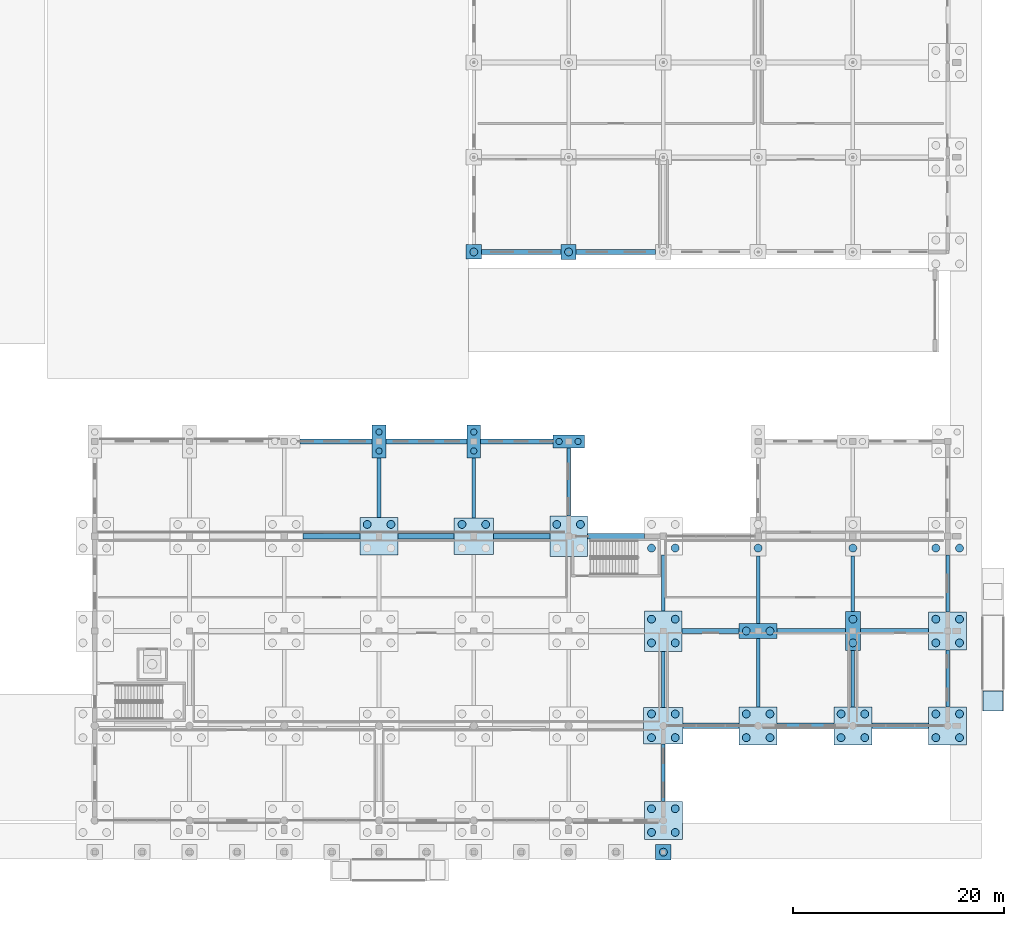
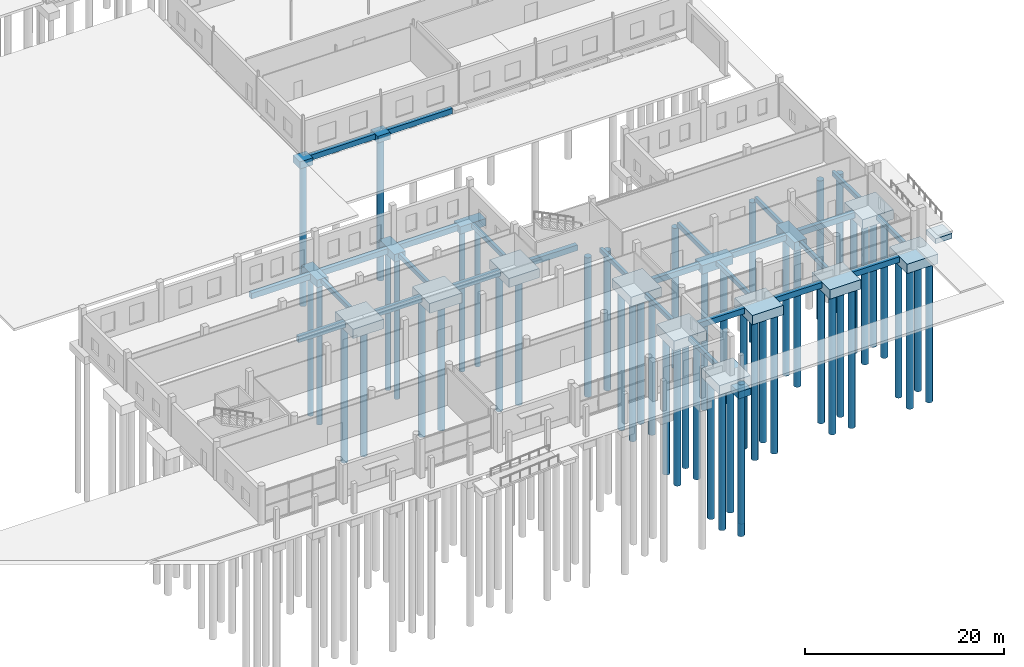
# One storey, part 12 of 112: 53 piles, 46 footings.
"""IFC4 building model written with IfcOpenShell, lengths in metres."""

from ifc_helpers import new_model, si_unit, direction, frame, origin, origin_2d, place, context, subcontext, project, spatial, polyline, rectangle, circle, outline, extrude, material, material_profile, profile_set, type_object, element, save


model = new_model("IFC4")

# Units and contexts
model_context = context("Model", 3, precision=1e-05, world=origin(), true_north=direction((0.0, 1.0)))
body_context = subcontext(model_context, "Body", "Model", "MODEL_VIEW")
ifc_project = project(units=[si_unit("LENGTHUNIT", "METRE"), si_unit("AREAUNIT", "SQUARE_METRE"), si_unit("VOLUMEUNIT", "CUBIC_METRE"), si_unit("PLANEANGLEUNIT", "RADIAN"), si_unit("MASSUNIT", "GRAM", prefix="KILO")], contexts=[model_context])

# Site, building, storey
site_placement = place(None, origin())
site = spatial("IfcSite", under=ifc_project, at=site_placement, CompositionType="ELEMENT")
building_placement = place(site_placement, origin())
building = spatial("IfcBuilding", under=site, at=building_placement, Name="Tharagai Park Tramway Depot", CompositionType="ELEMENT")
storey_placement = place(building_placement, origin())
storey = spatial("IfcBuildingStorey", under=building, at=storey_placement, Name="L00", CompositionType="ELEMENT", Elevation=0.0)

# Piles
ifc_material = material(Name="Concrete M40", Category="concrete")
ifc_material_profile_1 = material_profile(ifc_material, circle(Radius=0.375, at=origin_2d()), Name="PILE D750")
ifc_profile_set_1 = profile_set([ifc_material_profile_1], Name="Concrete M40")
pile_type_1 = type_object("IfcPileType", Name="BP-02", PredefinedType="BORED", material=ifc_profile_set_1)
for number, where, z_axis, x_axis, name in (
    (1, (160.875, 28.125, -1.35009765625), (0.0, 0.0, -1.0), (1.0, 0.0, 0.0), "Bored Pile BP-02 (162,27) #3"),
    (2, (163.125, 28.125, -1.35009765625), (0.0, 0.0, -1.0), (1.0, 0.0, 0.0), "Bored Pile BP-02 (162,27) #4"),
):
    element("IfcPile", number, at=place(storey_placement, frame(where, z_axis=z_axis, x_axis=x_axis)), inside=storey, type_object=pile_type_1, Name=name, PredefinedType="BORED", context=body_context, shape_type="SweptSolid", body=[
        extrude(circle(Radius=0.375, at=origin_2d()), origin(), (0.0, 0.0, 1.0), 17.14990234375),
    ])
for number, where, z_axis, x_axis, name in (
    (3, (169.875, 28.125, -1.39990234375), (0.0, 0.0, -1.0), (1.0, 0.0, 0.0), "Bored Pile BP-02 (171,27) #3"),
    (4, (172.125, 28.125, -1.39990234375), (0.0, 0.0, -1.0), (1.0, 0.0, 0.0), "Bored Pile BP-02 (171,27) #4"),
):
    element("IfcPile", number, at=place(storey_placement, frame(where, z_axis=z_axis, x_axis=x_axis)), inside=storey, type_object=pile_type_1, Name=name, PredefinedType="BORED", context=body_context, shape_type="SweptSolid", body=[
        extrude(circle(Radius=0.375, at=origin_2d()), origin(), (0.0, 0.0, 1.0), 17.10009765625),
    ])
pile_1_placement = place(storey_placement, frame((171.0, 54.0, -1.080078125), z_axis=(0.0, 0.0, -1.0), x_axis=(1.0, 0.0, 0.0)))
element("IfcPile", 5, at=pile_1_placement, inside=storey, type_object=pile_type_1, Name="Bored Pile BP-02 (171,54) #1", PredefinedType="BORED", context=body_context, shape_type="SweptSolid", body=[
    extrude(circle(Radius=0.375, at=origin_2d()), origin(), (0.0, 0.0, 1.0), 17.419921875),
])
for number, where, z_axis, x_axis, name in (
    (6, (178.875, 28.125, -1.320068359375), (0.0, 0.0, -1.0), (1.0, 0.0, 0.0), "Bored Pile BP-02 (180,27) #3"),
    (7, (181.125, 28.125, -1.320068359375), (0.0, 0.0, -1.0), (1.0, 0.0, 0.0), "Bored Pile BP-02 (180,27) #4"),
):
    element("IfcPile", number, at=place(storey_placement, frame(where, z_axis=z_axis, x_axis=x_axis)), inside=storey, type_object=pile_type_1, Name=name, PredefinedType="BORED", context=body_context, shape_type="SweptSolid", body=[
        extrude(circle(Radius=0.375, at=origin_2d()), origin(), (0.0, 0.0, 1.0), 17.179931640625),
    ])
pile_2_placement = place(storey_placement, frame((180.0, 54.0, -1.050048828125), z_axis=(0.0, 0.0, -1.0), x_axis=(1.0, 0.0, 0.0)))
element("IfcPile", 8, at=pile_2_placement, inside=storey, type_object=pile_type_1, Name="Bored Pile BP-02 (180,54) #1", PredefinedType="BORED", context=body_context, shape_type="SweptSolid", body=[
    extrude(circle(Radius=0.375, at=origin_2d()), origin(), (0.0, 0.0, 1.0), 17.449951171875),
])
for number, where, z_axis, x_axis, name in (
    (9, (187.875, -1.125, -1.35009765625), (0.0, 0.0, -1.0), (1.0, 0.0, 0.0), "Bored Pile BP-02 (189,0) #1"),
    (10, (190.125, -1.125, -1.35009765625), (0.0, 0.0, -1.0), (1.0, 0.0, 0.0), "Bored Pile BP-02 (189,0) #2"),
    (11, (187.875, 1.125, -1.35009765625), (0.0, 0.0, -1.0), (1.0, 0.0, 0.0), "Bored Pile BP-02 (189,0) #3"),
    (12, (190.125, 1.125, -1.35009765625), (0.0, 0.0, -1.0), (1.0, 0.0, 0.0), "Bored Pile BP-02 (189,0) #4"),
):
    element("IfcPile", number, at=place(storey_placement, frame(where, z_axis=z_axis, x_axis=x_axis)), inside=storey, type_object=pile_type_1, Name=name, PredefinedType="BORED", context=body_context, shape_type="SweptSolid", body=[
        extrude(circle(Radius=0.375, at=origin_2d()), origin(), (0.0, 0.0, 1.0), 17.14990234375),
    ])
for number, where, z_axis, x_axis, name in (
    (13, (187.875, 7.875, -1.39990234375), (0.0, 0.0, -1.0), (1.0, 0.0, 0.0), "Bored Pile BP-02 (189,9) #1"),
    (14, (190.125, 7.875, -1.39990234375), (0.0, 0.0, -1.0), (1.0, 0.0, 0.0), "Bored Pile BP-02 (189,9) #2"),
    (15, (187.875, 10.125, -1.39990234375), (0.0, 0.0, -1.0), (1.0, 0.0, 0.0), "Bored Pile BP-02 (189,9) #3"),
    (16, (190.125, 10.125, -1.39990234375), (0.0, 0.0, -1.0), (1.0, 0.0, 0.0), "Bored Pile BP-02 (189,9) #4"),
):
    element("IfcPile", number, at=place(storey_placement, frame(where, z_axis=z_axis, x_axis=x_axis)), inside=storey, type_object=pile_type_1, Name=name, PredefinedType="BORED", context=body_context, shape_type="SweptSolid", body=[
        extrude(circle(Radius=0.375, at=origin_2d()), origin(), (0.0, 0.0, 1.0), 17.10009765625),
    ])
for number, where, z_axis, x_axis, name in (
    (17, (187.875, 16.875, -1.320068359375), (0.0, 0.0, -1.0), (1.0, 0.0, 0.0), "Bored Pile BP-02 (189,18) #1"),
    (18, (190.125, 16.875, -1.320068359375), (0.0, 0.0, -1.0), (1.0, 0.0, 0.0), "Bored Pile BP-02 (189,18) #2"),
    (19, (187.875, 19.125, -1.320068359375), (0.0, 0.0, -1.0), (1.0, 0.0, 0.0), "Bored Pile BP-02 (189,18) #3"),
    (20, (190.125, 19.125, -1.320068359375), (0.0, 0.0, -1.0), (1.0, 0.0, 0.0), "Bored Pile BP-02 (189,18) #4"),
):
    element("IfcPile", number, at=place(storey_placement, frame(where, z_axis=z_axis, x_axis=x_axis)), inside=storey, type_object=pile_type_1, Name=name, PredefinedType="BORED", context=body_context, shape_type="SweptSolid", body=[
        extrude(circle(Radius=0.375, at=origin_2d()), origin(), (0.0, 0.0, 1.0), 17.179931640625),
    ])
for number, where, z_axis, x_axis, name in (
    (21, (187.875, 25.875, -1.35009765625), (0.0, 0.0, -1.0), (1.0, 0.0, 0.0), "Bored Pile BP-02 (189,27) #1"),
    (22, (190.125, 25.875, -1.35009765625), (0.0, 0.0, -1.0), (1.0, 0.0, 0.0), "Bored Pile BP-02 (189,27) #2"),
    (23, (196.875, 7.875, -1.35009765625), (0.0, 0.0, -1.0), (1.0, 0.0, 0.0), "Bored Pile BP-02 (198,9) #1"),
    (24, (199.125, 7.875, -1.35009765625), (0.0, 0.0, -1.0), (1.0, 0.0, 0.0), "Bored Pile BP-02 (198,9) #2"),
    (25, (196.875, 10.125, -1.35009765625), (0.0, 0.0, -1.0), (1.0, 0.0, 0.0), "Bored Pile BP-02 (198,9) #3"),
    (26, (199.125, 10.125, -1.35009765625), (0.0, 0.0, -1.0), (1.0, 0.0, 0.0), "Bored Pile BP-02 (198,9) #4"),
):
    element("IfcPile", number, at=place(storey_placement, frame(where, z_axis=z_axis, x_axis=x_axis)), inside=storey, type_object=pile_type_1, Name=name, PredefinedType="BORED", context=body_context, shape_type="SweptSolid", body=[
        extrude(circle(Radius=0.375, at=origin_2d()), origin(), (0.0, 0.0, 1.0), 17.14990234375),
    ])
for number, where, z_axis, x_axis, name in (
    (27, (196.875, 18.0, -1.25), (0.0, 0.0, -1.0), (1.0, 0.0, 0.0), "Bored Pile BP-02 (198,18) #1"),
    (28, (199.125, 18.0, -1.25), (0.0, 0.0, -1.0), (1.0, 0.0, 0.0), "Bored Pile BP-02 (198,18) #2"),
):
    element("IfcPile", number, at=place(storey_placement, frame(where, z_axis=z_axis, x_axis=x_axis)), inside=storey, type_object=pile_type_1, Name=name, PredefinedType="BORED", context=body_context, shape_type="SweptSolid", body=[
        extrude(circle(Radius=0.375, at=origin_2d()), origin(), (0.0, 0.0, 1.0), 17.25),
    ])
pile_3_placement = place(storey_placement, frame((198.0, 25.875, -1.280029296875), z_axis=(0.0, 0.0, -1.0), x_axis=(1.0, 0.0, 0.0)))
element("IfcPile", 29, at=pile_3_placement, inside=storey, type_object=pile_type_1, Name="Bored Pile BP-02 (198,27) #1", PredefinedType="BORED", context=body_context, shape_type="SweptSolid", body=[
    extrude(circle(Radius=0.375, at=origin_2d()), origin(), (0.0, 0.0, 1.0), 17.219970703125),
])
for number, where, z_axis, x_axis, name in (
    (30, (205.875, 7.875, -1.35009765625), (0.0, 0.0, -1.0), (1.0, 0.0, 0.0), "Bored Pile BP-02 (207,9) #1"),
    (31, (208.125, 7.875, -1.35009765625), (0.0, 0.0, -1.0), (1.0, 0.0, 0.0), "Bored Pile BP-02 (207,9) #2"),
    (32, (205.875, 10.125, -1.35009765625), (0.0, 0.0, -1.0), (1.0, 0.0, 0.0), "Bored Pile BP-02 (207,9) #3"),
    (33, (208.125, 10.125, -1.35009765625), (0.0, 0.0, -1.0), (1.0, 0.0, 0.0), "Bored Pile BP-02 (207,9) #4"),
):
    element("IfcPile", number, at=place(storey_placement, frame(where, z_axis=z_axis, x_axis=x_axis)), inside=storey, type_object=pile_type_1, Name=name, PredefinedType="BORED", context=body_context, shape_type="SweptSolid", body=[
        extrude(circle(Radius=0.375, at=origin_2d()), origin(), (0.0, 0.0, 1.0), 17.14990234375),
    ])
for number, where, z_axis, x_axis, name in (
    (34, (207.0, 16.875, -1.280029296875), (0.0, 0.0, -1.0), (1.0, 0.0, 0.0), "Bored Pile BP-02 (207,18) #1"),
    (35, (207.0, 19.125, -1.280029296875), (0.0, 0.0, -1.0), (1.0, 0.0, 0.0), "Bored Pile BP-02 (207,18) #2"),
    (36, (207.0, 25.875, -1.280029296875), (0.0, 0.0, -1.0), (1.0, 0.0, 0.0), "Bored Pile BP-02 (207,27) #1"),
):
    element("IfcPile", number, at=place(storey_placement, frame(where, z_axis=z_axis, x_axis=x_axis)), inside=storey, type_object=pile_type_1, Name=name, PredefinedType="BORED", context=body_context, shape_type="SweptSolid", body=[
        extrude(circle(Radius=0.375, at=origin_2d()), origin(), (0.0, 0.0, 1.0), 17.219970703125),
    ])
for number, where, z_axis, x_axis, name in (
    (37, (214.875, 7.875, -1.35009765625), (0.0, 0.0, -1.0), (1.0, 0.0, 0.0), "Bored Pile BP-02 (216,9) #1"),
    (38, (217.125, 7.875, -1.35009765625), (0.0, 0.0, -1.0), (1.0, 0.0, 0.0), "Bored Pile BP-02 (216,9) #2"),
    (39, (214.875, 10.125, -1.35009765625), (0.0, 0.0, -1.0), (1.0, 0.0, 0.0), "Bored Pile BP-02 (216,9) #3"),
    (40, (217.125, 10.125, -1.35009765625), (0.0, 0.0, -1.0), (1.0, 0.0, 0.0), "Bored Pile BP-02 (216,9) #4"),
    (41, (214.875, 16.875, -1.35009765625), (0.0, 0.0, -1.0), (1.0, 0.0, 0.0), "Bored Pile BP-02 (216,18) #1"),
    (42, (217.125, 16.875, -1.35009765625), (0.0, 0.0, -1.0), (1.0, 0.0, 0.0), "Bored Pile BP-02 (216,18) #2"),
    (43, (214.875, 19.125, -1.35009765625), (0.0, 0.0, -1.0), (1.0, 0.0, 0.0), "Bored Pile BP-02 (216,18) #3"),
    (44, (217.125, 19.125, -1.35009765625), (0.0, 0.0, -1.0), (1.0, 0.0, 0.0), "Bored Pile BP-02 (216,18) #4"),
    (45, (214.875, 25.875, -1.35009765625), (0.0, 0.0, -1.0), (1.0, 0.0, 0.0), "Bored Pile BP-02 (216,27) #1"),
    (46, (217.125, 25.875, -1.35009765625), (0.0, 0.0, -1.0), (1.0, 0.0, 0.0), "Bored Pile BP-02 (216,27) #2"),
):
    element("IfcPile", number, at=place(storey_placement, frame(where, z_axis=z_axis, x_axis=x_axis)), inside=storey, type_object=pile_type_1, Name=name, PredefinedType="BORED", context=body_context, shape_type="SweptSolid", body=[
        extrude(circle(Radius=0.375, at=origin_2d()), origin(), (0.0, 0.0, 1.0), 17.14990234375),
    ])
pile_4_placement = place(storey_placement, frame((189.0, -3.0, -1.06005859375), z_axis=(0.0, 0.0, -1.0), x_axis=(1.0, 0.0, 0.0)))
element("IfcPile", 47, at=pile_4_placement, inside=storey, type_object=pile_type_1, Name="Park Cloister Pier Bored Pile BP-02", PredefinedType="BORED", context=body_context, shape_type="SweptSolid", body=[
    extrude(circle(Radius=0.375, at=origin_2d()), origin(), (0.0, 0.0, 1.0), 17.43994140625),
])
ifc_material_profile_2 = material_profile(ifc_material, circle(Radius=0.300048828125, at=origin_2d()), Name="PILE D600")
ifc_profile_set_2 = profile_set([ifc_material_profile_2], Name="Concrete M40")
pile_type_2 = type_object("IfcPileType", Name="BP-03", PredefinedType="BORED", material=ifc_profile_set_2)
for number, where, z_axis, x_axis, name in (
    (48, (162.0, 35.10009765625, -1.1201171875), (0.0, 0.0, -1.0), (1.0, 0.0, 0.0), "Bored Pile BP-03 (162,36) #1"),
    (49, (162.0, 36.89990234375, -1.1201171875), (0.0, 0.0, -1.0), (1.0, 0.0, 0.0), "Bored Pile BP-03 (162,36) #2"),
    (50, (171.0, 35.10009765625, -1.1201171875), (0.0, 0.0, -1.0), (1.0, 0.0, 0.0), "Bored Pile BP-03 (171,36) #1"),
    (51, (171.0, 36.89990234375, -1.1201171875), (0.0, 0.0, -1.0), (1.0, 0.0, 0.0), "Bored Pile BP-03 (171,36) #2"),
):
    element("IfcPile", number, at=place(storey_placement, frame(where, z_axis=z_axis, x_axis=x_axis)), inside=storey, type_object=pile_type_2, Name=name, PredefinedType="BORED", context=body_context, shape_type="SweptSolid", body=[
        extrude(circle(Radius=0.300048828125, at=origin_2d()), origin(), (0.0, 0.0, 1.0), 17.3798828125),
    ])
for number, where, z_axis, x_axis, name in (
    (52, (179.10009765625, 36.0, -1.10009765625), (0.0, 0.0, -1.0), (1.0, 0.0, 0.0), "Bored Pile BP-03 (180,36) #1"),
    (53, (180.89990234375, 36.0, -1.10009765625), (0.0, 0.0, -1.0), (1.0, 0.0, 0.0), "Bored Pile BP-03 (180,36) #2"),
):
    element("IfcPile", number, at=place(storey_placement, frame(where, z_axis=z_axis, x_axis=x_axis)), inside=storey, type_object=pile_type_2, Name=name, PredefinedType="BORED", context=body_context, shape_type="SweptSolid", body=[
        extrude(circle(Radius=0.300048828125, at=origin_2d()), origin(), (0.0, 0.0, 1.0), 17.39990234375),
    ])

# Footings
footing_type_1 = type_object("IfcFootingType", Name="GB-01", PredefinedType="FOOTING_BEAM", material=ifc_material)
footing_1_placement = place(storey_placement, frame((0.0, 0.0, -0.949951171875)))
element("IfcFooting", 54, at=footing_1_placement, inside=storey, type_object=footing_type_1, Name="Ground Tie Beam GB-01", PredefinedType="FOOTING_BEAM", context=body_context, shape_type="SweptSolid", body=[
    extrude(outline(polyline([(171.75, 53.77490234375), (179.27490234375, 53.77490234375), (179.27490234375, 54.22509765625), (171.75, 54.22509765625), (171.75, 53.77490234375)])), origin(), (0.0, 0.0, 1.0), 0.64990234375),
])
footing_2_placement = place(storey_placement, frame((0.0, 0.0, -0.949951171875)))
element("IfcFooting", 55, at=footing_2_placement, inside=storey, type_object=footing_type_1, Name="Ground Tie Beam GB-01", PredefinedType="FOOTING_BEAM", context=body_context, shape_type="SweptSolid", body=[
    extrude(outline(polyline([(180.72509765625, 53.77490234375), (188.27490234375, 53.77490234375), (188.27490234375, 54.22509765625), (180.72509765625, 54.22509765625), (180.72509765625, 53.77490234375)])), origin(), (0.0, 0.0, 1.0), 0.64990234375),
])
footing_type_2 = type_object("IfcFootingType", Name="GB-02", PredefinedType="FOOTING_BEAM", material=ifc_material)
footing_3_placement = place(storey_placement, frame((0.0, 0.0, -1.0)))
element("IfcFooting", 56, at=footing_3_placement, inside=storey, type_object=footing_type_2, Name="Ground Tie Beam GB-02", PredefinedType="FOOTING_BEAM", context=body_context, shape_type="SweptSolid", body=[
    extrude(outline(polyline([(190.875, 8.75), (196.199951171875, 8.75), (196.199951171875, 9.25), (190.875, 9.25), (190.875, 8.75)])), origin(), (0.0, 0.0, 1.0), 0.699951171875),
])
footing_4_placement = place(storey_placement, frame((0.0, 0.0, -1.0)))
element("IfcFooting", 57, at=footing_4_placement, inside=storey, type_object=footing_type_2, Name="Ground Tie Beam GB-02", PredefinedType="FOOTING_BEAM", context=body_context, shape_type="SweptSolid", body=[
    extrude(outline(polyline([(199.800048828125, 8.75), (205.199951171875, 8.75), (205.199951171875, 9.25), (199.800048828125, 9.25), (199.800048828125, 8.75)])), origin(), (0.0, 0.0, 1.0), 0.699951171875),
])
footing_5_placement = place(storey_placement, frame((0.0, 0.0, -1.0)))
element("IfcFooting", 58, at=footing_5_placement, inside=storey, type_object=footing_type_2, Name="Ground Tie Beam GB-02", PredefinedType="FOOTING_BEAM", context=body_context, shape_type="SweptSolid", body=[
    extrude(outline(polyline([(208.800048828125, 8.75), (214.199951171875, 8.75), (214.199951171875, 9.25), (208.800048828125, 9.25), (208.800048828125, 8.75)])), origin(), (0.0, 0.0, 1.0), 0.699951171875),
])
footing_6_placement = place(storey_placement, frame((0.0, 0.0, -1.0)))
element("IfcFooting", 59, at=footing_6_placement, inside=storey, type_object=footing_type_2, Name="Ground Tie Beam GB-02", PredefinedType="FOOTING_BEAM", context=body_context, shape_type="SweptSolid", body=[
    extrude(outline(polyline([(190.77490234375, 17.75), (196.199951171875, 17.75), (196.199951171875, 18.25), (190.77490234375, 18.25), (190.77490234375, 17.75)])), origin(), (0.0, 0.0, 1.0), 0.699951171875),
])
footing_7_placement = place(storey_placement, frame((0.0, 0.0, -1.0)))
element("IfcFooting", 60, at=footing_7_placement, inside=storey, type_object=footing_type_2, Name="Ground Tie Beam GB-02", PredefinedType="FOOTING_BEAM", context=body_context, shape_type="SweptSolid", body=[
    extrude(outline(polyline([(199.800048828125, 17.75), (206.27490234375, 17.75), (206.27490234375, 18.25), (199.800048828125, 18.25), (199.800048828125, 17.75)])), origin(), (0.0, 0.0, 1.0), 0.699951171875),
])
footing_8_placement = place(storey_placement, frame((0.0, 0.0, -1.0)))
element("IfcFooting", 61, at=footing_8_placement, inside=storey, type_object=footing_type_2, Name="Ground Tie Beam GB-02", PredefinedType="FOOTING_BEAM", context=body_context, shape_type="SweptSolid", body=[
    extrude(outline(polyline([(207.72509765625, 17.75), (214.199951171875, 17.75), (214.199951171875, 18.25), (207.72509765625, 18.25), (207.72509765625, 17.75)])), origin(), (0.0, 0.0, 1.0), 0.699951171875),
])
footing_9_placement = place(storey_placement, frame((0.0, 0.0, -1.0)))
element("IfcFooting", 62, at=footing_9_placement, inside=storey, type_object=footing_type_2, Name="Ground Tie Beam GB-02", PredefinedType="FOOTING_BEAM", context=body_context, shape_type="SweptSolid", body=[
    extrude(outline(polyline([(154.77490234375, 26.75), (160.199951171875, 26.75), (160.199951171875, 27.25), (154.77490234375, 27.25), (154.77490234375, 26.75)])), origin(), (0.0, 0.0, 1.0), 0.699951171875),
])
footing_10_placement = place(storey_placement, frame((0.0, 0.0, -1.0)))
element("IfcFooting", 63, at=footing_10_placement, inside=storey, type_object=footing_type_2, Name="Ground Tie Beam GB-02", PredefinedType="FOOTING_BEAM", context=body_context, shape_type="SweptSolid", body=[
    extrude(outline(polyline([(163.800048828125, 26.75), (169.125, 26.75), (169.125, 27.25), (163.800048828125, 27.25), (163.800048828125, 26.75)])), origin(), (0.0, 0.0, 1.0), 0.699951171875),
])
footing_11_placement = place(storey_placement, frame((0.0, 0.0, -1.0)))
element("IfcFooting", 64, at=footing_11_placement, inside=storey, type_object=footing_type_2, Name="Ground Tie Beam GB-02", PredefinedType="FOOTING_BEAM", context=body_context, shape_type="SweptSolid", body=[
    extrude(outline(polyline([(172.875, 26.75), (178.22509765625, 26.75), (178.22509765625, 27.25), (172.875, 27.25), (172.875, 26.75)])), origin(), (0.0, 0.0, 1.0), 0.699951171875),
])
footing_12_placement = place(storey_placement, frame((0.0, 0.0, -1.0)))
element("IfcFooting", 65, at=footing_12_placement, inside=storey, type_object=footing_type_2, Name="Ground Tie Beam GB-02", PredefinedType="FOOTING_BEAM", context=body_context, shape_type="SweptSolid", body=[
    extrude(outline(polyline([(181.77490234375, 26.75), (187.199951171875, 26.75), (187.199951171875, 27.25), (181.77490234375, 27.25), (181.77490234375, 26.75)])), origin(), (0.0, 0.0, 1.0), 0.699951171875),
])
footing_13_placement = place(storey_placement, frame((0.0, 0.0, -1.0)))
element("IfcFooting", 66, at=footing_13_placement, inside=storey, type_object=footing_type_2, Name="Ground Tie Beam GB-02", PredefinedType="FOOTING_BEAM", context=body_context, shape_type="SweptSolid", body=[
    extrude(outline(polyline([(154.5, 35.75), (161.35009765625, 35.75), (161.35009765625, 36.25), (154.5, 36.25), (154.5, 35.75)])), origin(), (0.0, 0.0, 1.0), 0.699951171875),
])
footing_14_placement = place(storey_placement, frame((0.0, 0.0, -1.0)))
element("IfcFooting", 67, at=footing_14_placement, inside=storey, type_object=footing_type_2, Name="Ground Tie Beam GB-02", PredefinedType="FOOTING_BEAM", context=body_context, shape_type="SweptSolid", body=[
    extrude(outline(polyline([(162.64990234375, 35.75), (170.35009765625, 35.75), (170.35009765625, 36.25), (162.64990234375, 36.25), (162.64990234375, 35.75)])), origin(), (0.0, 0.0, 1.0), 0.699951171875),
])
footing_15_placement = place(storey_placement, frame((0.0, 0.0, -1.0)))
element("IfcFooting", 68, at=footing_15_placement, inside=storey, type_object=footing_type_2, Name="Ground Tie Beam GB-02", PredefinedType="FOOTING_BEAM", context=body_context, shape_type="SweptSolid", body=[
    extrude(outline(polyline([(171.64990234375, 35.75), (178.5, 35.75), (178.5, 36.25), (171.64990234375, 36.25), (171.64990234375, 35.75)])), origin(), (0.0, 0.0, 1.0), 0.699951171875),
])
footing_type_3 = type_object("IfcFootingType", Name="GB-03", PredefinedType="FOOTING_BEAM", material=ifc_material)
footing_16_placement = place(storey_placement, frame((0.0, 0.0, -0.85009765625)))
element("IfcFooting", 69, at=footing_16_placement, inside=storey, type_object=footing_type_3, Name="Ground Tie Beam GB-03", PredefinedType="FOOTING_BEAM", context=body_context, shape_type="SweptSolid", body=[
    extrude(outline(polyline([(161.824951171875, 28.800048828125), (162.175048828125, 28.800048828125), (162.175048828125, 34.449951171875), (161.824951171875, 34.449951171875), (161.824951171875, 28.800048828125)])), origin(), (0.0, 0.0, 1.0), 0.550048828125),
])
footing_17_placement = place(storey_placement, frame((0.0, 0.0, -0.85009765625)))
element("IfcFooting", 70, at=footing_17_placement, inside=storey, type_object=footing_type_3, Name="Ground Tie Beam GB-03", PredefinedType="FOOTING_BEAM", context=body_context, shape_type="SweptSolid", body=[
    extrude(outline(polyline([(170.824951171875, 28.75), (171.175048828125, 28.75), (171.175048828125, 34.449951171875), (170.824951171875, 34.449951171875), (170.824951171875, 28.75)])), origin(), (0.0, 0.0, 1.0), 0.550048828125),
])
footing_18_placement = place(storey_placement, frame((0.0, 0.0, -0.85009765625)))
element("IfcFooting", 71, at=footing_18_placement, inside=storey, type_object=footing_type_3, Name="Ground Tie Beam GB-03", PredefinedType="FOOTING_BEAM", context=body_context, shape_type="SweptSolid", body=[
    extrude(outline(polyline([(179.824951171875, 28.925048828125), (180.175048828125, 28.925048828125), (180.175048828125, 35.375), (179.824951171875, 35.375), (179.824951171875, 28.925048828125)])), origin(), (0.0, 0.0, 1.0), 0.550048828125),
])
footing_19_placement = place(storey_placement, frame((0.0, 0.0, -0.85009765625)))
element("IfcFooting", 72, at=footing_19_placement, inside=storey, type_object=footing_type_3, Name="Ground Tie Beam GB-03", PredefinedType="FOOTING_BEAM", context=body_context, shape_type="SweptSolid", body=[
    extrude(outline(polyline([(188.824951171875, 1.800048828125), (189.175048828125, 1.800048828125), (189.175048828125, 7.25), (188.824951171875, 7.25), (188.824951171875, 1.800048828125)])), origin(), (0.0, 0.0, 1.0), 0.550048828125),
])
footing_20_placement = place(storey_placement, frame((0.0, 0.0, -0.85009765625)))
element("IfcFooting", 73, at=footing_20_placement, inside=storey, type_object=footing_type_3, Name="Ground Tie Beam GB-03", PredefinedType="FOOTING_BEAM", context=body_context, shape_type="SweptSolid", body=[
    extrude(outline(polyline([(188.824951171875, 10.75), (189.175048828125, 10.75), (189.175048828125, 16.074951171875), (188.824951171875, 16.074951171875), (188.824951171875, 10.75)])), origin(), (0.0, 0.0, 1.0), 0.550048828125),
])
footing_21_placement = place(storey_placement, frame((0.0, 0.0, -0.85009765625)))
element("IfcFooting", 74, at=footing_21_placement, inside=storey, type_object=footing_type_3, Name="Ground Tie Beam GB-03", PredefinedType="FOOTING_BEAM", context=body_context, shape_type="SweptSolid", body=[
    extrude(outline(polyline([(188.824951171875, 19.925048828125), (189.175048828125, 19.925048828125), (189.175048828125, 25.199951171875), (188.824951171875, 25.199951171875), (188.824951171875, 19.925048828125)])), origin(), (0.0, 0.0, 1.0), 0.550048828125),
])
footing_22_placement = place(storey_placement, frame((0.0, 0.0, -0.85009765625)))
element("IfcFooting", 75, at=footing_22_placement, inside=storey, type_object=footing_type_3, Name="Ground Tie Beam GB-03", PredefinedType="FOOTING_BEAM", context=body_context, shape_type="SweptSolid", body=[
    extrude(outline(polyline([(197.824951171875, 10.800048828125), (198.175048828125, 10.800048828125), (198.175048828125, 17.300048828125), (197.824951171875, 17.300048828125), (197.824951171875, 10.800048828125)])), origin(), (0.0, 0.0, 1.0), 0.550048828125),
])
footing_23_placement = place(storey_placement, frame((0.0, 0.0, -0.85009765625)))
element("IfcFooting", 76, at=footing_23_placement, inside=storey, type_object=footing_type_3, Name="Ground Tie Beam GB-03", PredefinedType="FOOTING_BEAM", context=body_context, shape_type="SweptSolid", body=[
    extrude(outline(polyline([(197.824951171875, 18.699951171875), (198.175048828125, 18.699951171875), (198.175048828125, 25.14990234375), (197.824951171875, 25.14990234375), (197.824951171875, 18.699951171875)])), origin(), (0.0, 0.0, 1.0), 0.550048828125),
])
footing_24_placement = place(storey_placement, frame((0.0, 0.0, -0.85009765625)))
element("IfcFooting", 77, at=footing_24_placement, inside=storey, type_object=footing_type_3, Name="Ground Tie Beam GB-03", PredefinedType="FOOTING_BEAM", context=body_context, shape_type="SweptSolid", body=[
    extrude(outline(polyline([(206.824951171875, 10.800048828125), (207.175048828125, 10.800048828125), (207.175048828125, 16.14990234375), (206.824951171875, 16.14990234375), (206.824951171875, 10.800048828125)])), origin(), (0.0, 0.0, 1.0), 0.550048828125),
])
footing_25_placement = place(storey_placement, frame((0.0, 0.0, -0.85009765625)))
element("IfcFooting", 78, at=footing_25_placement, inside=storey, type_object=footing_type_3, Name="Ground Tie Beam GB-03", PredefinedType="FOOTING_BEAM", context=body_context, shape_type="SweptSolid", body=[
    extrude(outline(polyline([(206.824951171875, 19.85009765625), (207.175048828125, 19.85009765625), (207.175048828125, 25.14990234375), (206.824951171875, 25.14990234375), (206.824951171875, 19.85009765625)])), origin(), (0.0, 0.0, 1.0), 0.550048828125),
])
footing_26_placement = place(storey_placement, frame((0.0, 0.0, -0.85009765625)))
element("IfcFooting", 79, at=footing_26_placement, inside=storey, type_object=footing_type_3, Name="Ground Tie Beam GB-03", PredefinedType="FOOTING_BEAM", context=body_context, shape_type="SweptSolid", body=[
    extrude(outline(polyline([(215.824951171875, 10.800048828125), (216.175048828125, 10.800048828125), (216.175048828125, 16.199951171875), (215.824951171875, 16.199951171875), (215.824951171875, 10.800048828125)])), origin(), (0.0, 0.0, 1.0), 0.550048828125),
])
footing_27_placement = place(storey_placement, frame((0.0, 0.0, -0.85009765625)))
element("IfcFooting", 80, at=footing_27_placement, inside=storey, type_object=footing_type_3, Name="Ground Tie Beam GB-03", PredefinedType="FOOTING_BEAM", context=body_context, shape_type="SweptSolid", body=[
    extrude(outline(polyline([(215.824951171875, 19.800048828125), (216.175048828125, 19.800048828125), (216.175048828125, 25.199951171875), (215.824951171875, 25.199951171875), (215.824951171875, 19.800048828125)])), origin(), (0.0, 0.0, 1.0), 0.550048828125),
])
footing_type_4 = type_object("IfcFootingType", Name="PC-03", PredefinedType="PILE_CAP", material=ifc_material)
for number, where, z_axis, x_axis, name in (
    (81, (162.0, 27.0, -1.449951171875), (0.0, 0.0, 1.0), (1.0, 0.0, 0.0), "Pile Cap PC-03 (162,27)"),
    (82, (189.0, 0.0, -1.449951171875), (0.0, 0.0, 1.0), (1.0, 0.0, 0.0), "Pile Cap PC-03 (189,0)"),
    (83, (198.0, 9.0, -1.449951171875), (0.0, 0.0, 1.0), (1.0, 0.0, 0.0), "Pile Cap PC-03 (198,9)"),
    (84, (207.0, 9.0, -1.449951171875), (0.0, 0.0, 1.0), (1.0, 0.0, 0.0), "Pile Cap PC-03 (207,9)"),
    (85, (216.0, 9.0, -1.449951171875), (0.0, 0.0, 1.0), (1.0, 0.0, 0.0), "Pile Cap PC-03 (216,9)"),
    (86, (216.0, 18.0, -1.449951171875), (0.0, 0.0, 1.0), (1.0, 0.0, 0.0), "Pile Cap PC-03 (216,18)"),
):
    element("IfcFooting", number, at=place(storey_placement, frame(where, z_axis=z_axis, x_axis=x_axis)), inside=storey, type_object=footing_type_4, Name=name, PredefinedType="PILE_CAP", context=body_context, shape_type="SweptSolid", body=[
        extrude(rectangle(XDim=3.60009765625, YDim=3.60009765625, at=origin_2d()), origin(), (0.0, 0.0, 1.0), 1.14990234375),
    ])
footing_type_5 = type_object("IfcFootingType", Name="PC-06", PredefinedType="PILE_CAP", material=ifc_material)
footing_28_placement = place(storey_placement, frame((180.0, 36.0, -1.199951171875), z_axis=(0.0, 0.0, 1.0), x_axis=(1.0, 0.0, 0.0)))
element("IfcFooting", 87, at=footing_28_placement, inside=storey, type_object=footing_type_5, Name="Pile Cap PC-06 (180,36)", PredefinedType="PILE_CAP", context=body_context, shape_type="SweptSolid", body=[
    extrude(rectangle(XDim=3.0, YDim=1.25, at=origin_2d()), origin(), (0.0, 0.0, 1.0), 0.89990234375),
])
footing_type_6 = type_object("IfcFootingType", Name="PC-07", PredefinedType="PILE_CAP", material=ifc_material)
for number, where, z_axis, x_axis, name in (
    (88, (171.0, 27.0, -1.5), (0.0, 0.0, 1.0), (1.0, 0.0, 0.0), "Pile Cap PC-07 (171,27)"),
    (89, (189.0, 9.0, -1.5), (0.0, 0.0, 1.0), (1.0, 0.0, 0.0), "Pile Cap PC-07 (189,9)"),
):
    element("IfcFooting", number, at=place(storey_placement, frame(where, z_axis=z_axis, x_axis=x_axis)), inside=storey, type_object=footing_type_6, Name=name, PredefinedType="PILE_CAP", context=body_context, shape_type="SweptSolid", body=[
        extrude(rectangle(XDim=3.75, YDim=3.5, at=origin_2d()), origin(), (0.0, 0.0, 1.0), 1.199951171875),
    ])
footing_type_7 = type_object("IfcFootingType", Name="PC-08", PredefinedType="PILE_CAP", material=ifc_material)
for number, where, z_axis, x_axis, name in (
    (90, (162.0, 36.0, -1.219970703125), (0.0, 0.0, 1.0), (1.0, 0.0, 0.0), "Pile Cap PC-08 (162,36)"),
    (91, (171.0, 36.0, -1.219970703125), (0.0, 0.0, 1.0), (1.0, 0.0, 0.0), "Pile Cap PC-08 (171,36)"),
):
    element("IfcFooting", number, at=place(storey_placement, frame(where, z_axis=z_axis, x_axis=x_axis)), inside=storey, type_object=footing_type_7, Name=name, PredefinedType="PILE_CAP", context=body_context, shape_type="SweptSolid", body=[
        extrude(rectangle(XDim=1.300048828125, YDim=3.10009765625, at=origin_2d()), origin(), (0.0, 0.0, 1.0), 0.919921875),
    ])
footing_type_8 = type_object("IfcFootingType", Name="PC-09", PredefinedType="PILE_CAP", material=ifc_material)
for number, where, z_axis, x_axis, name in (
    (92, (180.0, 27.0, -1.420166015625), (0.0, 0.0, 1.0), (1.0, 0.0, 0.0), "Pile Cap PC-09 (180,27)"),
    (93, (189.0, 18.0, -1.420166015625), (0.0, 0.0, 1.0), (1.0, 0.0, 0.0), "Pile Cap PC-09 (189,18)"),
):
    element("IfcFooting", number, at=place(storey_placement, frame(where, z_axis=z_axis, x_axis=x_axis)), inside=storey, type_object=footing_type_8, Name=name, PredefinedType="PILE_CAP", context=body_context, shape_type="SweptSolid", body=[
        extrude(rectangle(XDim=3.550048828125, YDim=3.85009765625, at=origin_2d()), origin(), (0.0, 0.0, 1.0), 1.1201171875),
    ])
footing_type_9 = type_object("IfcFootingType", Name="PC-10", PredefinedType="PILE_CAP", material=ifc_material)
for number, where, z_axis, x_axis, name in (
    (94, (180.0, 54.0, -1.150146484375), (0.0, 0.0, 1.0), (1.0, 0.0, 0.0), "Pile Cap PC-10 (180,54)"),
    (95, (189.0, -3.0, -1.16015625), (0.0, 0.0, 1.0), (1.0, 0.0, 0.0), "Park Cloister Pier Pile Cap PC-10"),
):
    element("IfcFooting", number, at=place(storey_placement, frame(where, z_axis=z_axis, x_axis=x_axis)), inside=storey, type_object=footing_type_9, Name=name, PredefinedType="PILE_CAP", context=body_context, shape_type="SweptSolid", body=[
        extrude(rectangle(XDim=1.449951171875, YDim=1.449951171875, at=origin_2d()), origin(), (0.0, 0.0, 1.0), 0.85009765625),
    ])
footing_type_10 = type_object("IfcFootingType", Name="PC-11", PredefinedType="PILE_CAP", material=ifc_material)
footing_29_placement = place(storey_placement, frame((198.0, 18.0, -1.35009765625), z_axis=(0.0, 0.0, 1.0), x_axis=(1.0, 0.0, 0.0)))
element("IfcFooting", 96, at=footing_29_placement, inside=storey, type_object=footing_type_10, Name="Pile Cap PC-11 (198,18)", PredefinedType="PILE_CAP", context=body_context, shape_type="SweptSolid", body=[
    extrude(rectangle(XDim=3.60009765625, YDim=1.39990234375, at=origin_2d()), origin(), (0.0, 0.0, 1.0), 1.050048828125),
])
footing_type_11 = type_object("IfcFootingType", Name="PC-12", PredefinedType="PILE_CAP", material=ifc_material)
footing_30_placement = place(storey_placement, frame((171.0, 54.0, -1.179931640625), z_axis=(0.0, 0.0, 1.0), x_axis=(1.0, 0.0, 0.0)))
element("IfcFooting", 97, at=footing_30_placement, inside=storey, type_object=footing_type_11, Name="Pile Cap PC-12 (171,54)", PredefinedType="PILE_CAP", context=body_context, shape_type="SweptSolid", body=[
    extrude(rectangle(XDim=1.5, YDim=1.3798828125, at=origin_2d()), origin(), (0.0, 0.0, 1.0), 0.8798828125),
])
footing_type_12 = type_object("IfcFootingType", Name="PC-14", PredefinedType="PILE_CAP", material=ifc_material)
footing_31_placement = place(storey_placement, frame((207.0, 18.0, -1.380126953125), z_axis=(0.0, 0.0, 1.0), x_axis=(1.0, 0.0, 0.0)))
element("IfcFooting", 98, at=footing_31_placement, inside=storey, type_object=footing_type_12, Name="Pile Cap PC-14 (207,18)", PredefinedType="PILE_CAP", context=body_context, shape_type="SweptSolid", body=[
    extrude(rectangle(XDim=1.449951171875, YDim=3.699951171875, at=origin_2d()), origin(), (0.0, 0.0, 1.0), 1.080078125),
])
footing_type_13 = type_object("IfcFootingType", Name="PF-08", PredefinedType="PAD_FOOTING", material=ifc_material)
footing_32_placement = place(storey_placement, frame((220.300048828125, 11.340087890625, -1.510009765625), z_axis=(0.0, 0.0, 1.0), x_axis=(1.0, 0.0, 0.0)))
element("IfcFooting", 99, at=footing_32_placement, inside=storey, type_object=footing_type_13, Name="Ramp Pad Footing PF-08", PredefinedType="PAD_FOOTING", context=body_context, shape_type="SweptSolid", body=[
    extrude(rectangle(XDim=1.89990234375, YDim=1.89990234375, at=origin_2d()), origin(), (0.0, 0.0, 1.0), 0.60009765625),
])

save(model, "model.ifc")
